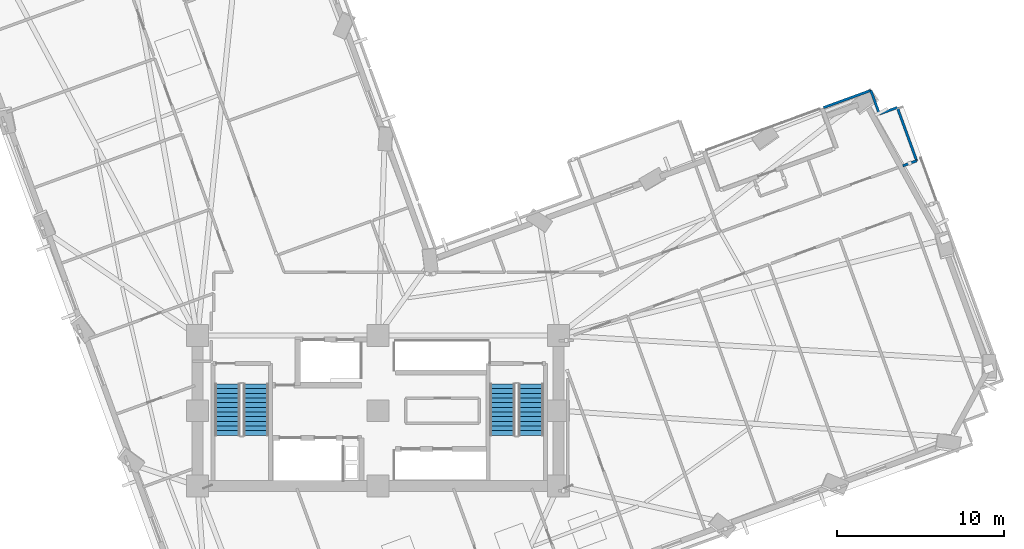
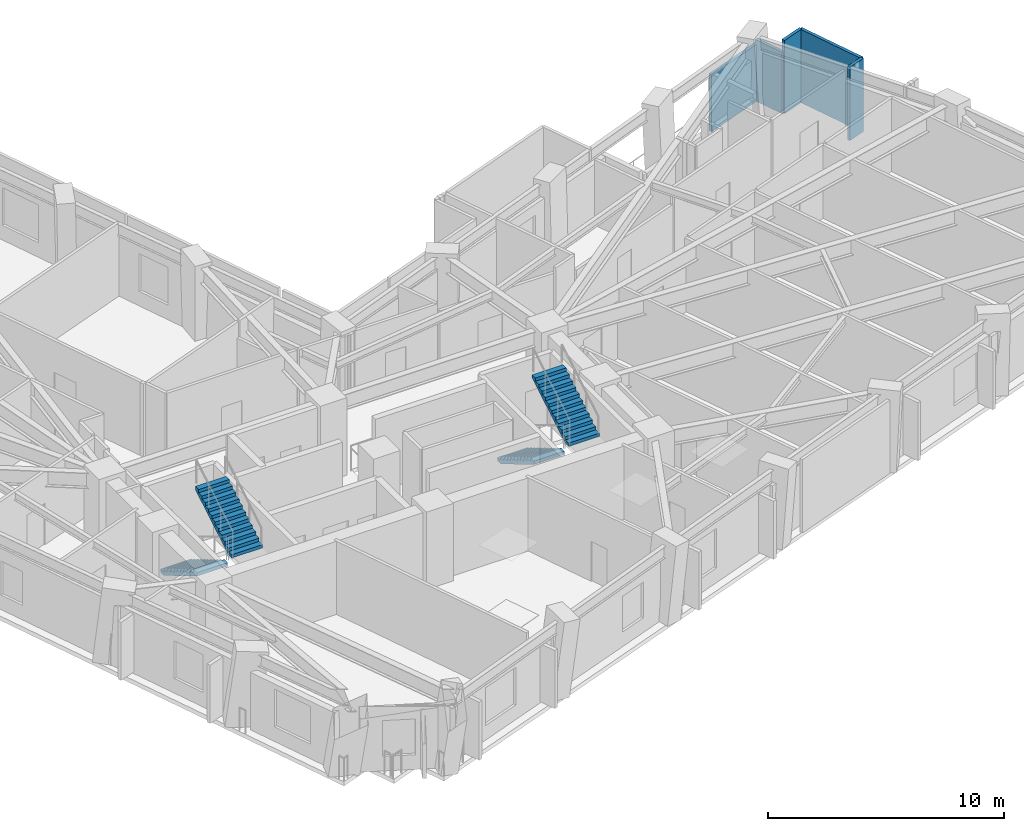
# One storey, part 13 of 17: 5 walls, 4 stair flights, 2 elements without a shape of their own.
"""IFC4 building model written with IfcOpenShell, lengths in metres."""

from ifc_helpers import new_model, si_unit, direction, frame, frame_2d, origin, place, context, subcontext, project, spatial, polyline, rectangle, outline, extrude, material, layer, layer_set, type_object, element, aggregate, save


model = new_model("IFC4")

# Units and contexts
model_context = context("Model", 3, precision=1e-05, world=origin(), true_north=direction((0.0, 1.0)))
body_context = subcontext(model_context, "Body", "Model", "MODEL_VIEW")
ifc_project = project(units=[si_unit("LENGTHUNIT", "METRE"), si_unit("AREAUNIT", "SQUARE_METRE"), si_unit("VOLUMEUNIT", "CUBIC_METRE"), si_unit("PLANEANGLEUNIT", "RADIAN"), si_unit("MASSUNIT", "GRAM", prefix="KILO")], contexts=[model_context])

# Site, building, storey
site_placement = place(None, origin())
site = spatial("IfcSite", under=ifc_project, at=site_placement, CompositionType="ELEMENT")
building_placement = place(site_placement, origin())
building = spatial("IfcBuilding", under=site, at=building_placement, Name="Gaonmaruhae Medical Tower", CompositionType="ELEMENT")
storey_placement = place(building_placement, frame((0.0, 0.0, 108.39990234375)))
storey = spatial("IfcBuildingStorey", under=building, at=storey_placement, Name="L25", CompositionType="ELEMENT", Elevation=108.39990234375)

# Walls
ifc_material_1 = material(Name="Gypsum board partition", Category="gypsum")
ifc_layer = layer(ifc_material_1, 0.14990234375)
ifc_layer_set = layer_set([ifc_layer], Name="Gypsum board partition")
wall_type = type_object("IfcWallType", Name="PW-150 Rated Clinical Corridor Partition", PredefinedType="PARTITIONING", material=ifc_layer_set)
wall_1_placement = place(storey_placement, frame((51.43701171875, 30.423095703125, 0.0), z_axis=(0.0, 0.0, 1.0), x_axis=(0.939977700779, 0.34123587449, 0.0)))
element("IfcWall", 1, at=wall_1_placement, inside=storey, type_object=wall_type, Name="L25 Interior Partition L25-IE06-89", PredefinedType="PARTITIONING", context=body_context, shape_type="SweptSolid", body=[
    extrude(rectangle(XDim=3.014892578125, YDim=0.14990234375, at=frame_2d((1.50732421875, 0.0))), origin(), (0.0, 0.0, 1.0), 2.945068359375),
])
wall_2_placement = place(storey_placement, frame((54.27099609375, 31.451904296875, 0.0), z_axis=(0.0, 0.0, 1.0), x_axis=(0.341311767392, -0.939950146252, 0.0)))
element("IfcWall", 2, at=wall_2_placement, inside=storey, type_object=wall_type, Name="L25 Interior Partition L25-IE06-90", PredefinedType="PARTITIONING", context=body_context, shape_type="SweptSolid", body=[
    extrude(rectangle(XDim=1.5, YDim=0.14990234375, at=frame_2d((0.75, 0.0))), origin(), (0.0, 0.0, 1.0), 3.1650390625),
])
wall_3_placement = place(storey_placement, frame((54.782958984375, 30.0419921875, 0.0), z_axis=(0.0, 0.0, 1.0), x_axis=(0.939949717759, 0.341312947433, 0.0)))
element("IfcWall", 3, at=wall_3_placement, inside=storey, type_object=wall_type, Name="L25 Interior Partition L25-IE06-91", PredefinedType="PARTITIONING", context=body_context, shape_type="SweptSolid", body=[
    extrude(rectangle(XDim=1.139404296875, YDim=0.14990234375, at=frame_2d((0.56982421875, 0.0))), origin(), (0.0, 0.0, 1.0), 3.780029296875),
])
wall_4_placement = place(storey_placement, frame((55.85400390625, 30.430908203125, 0.0), z_axis=(0.0, 0.0, 1.0), x_axis=(0.341240018038, -0.939976196555, 0.0)))
element("IfcWall", 4, at=wall_4_placement, inside=storey, type_object=wall_type, Name="L25 Interior Partition L25-IE06-92", PredefinedType="PARTITIONING", context=body_context, shape_type="SweptSolid", body=[
    extrude(rectangle(XDim=3.390625, YDim=0.14990234375, at=frame_2d((1.6953125, 0.0))), origin(), (0.0, 0.0, 1.0), 3.780029296875),
])
wall_5_placement = place(storey_placement, frame((57.010986328125, 27.243896484375, 0.0), z_axis=(0.0, 0.0, 1.0), x_axis=(-0.940051781149, -0.341031741571, 0.0)))
element("IfcWall", 5, at=wall_5_placement, inside=storey, type_object=wall_type, Name="L25 Interior Partition L25-IE06-93", PredefinedType="PARTITIONING", context=body_context, shape_type="SweptSolid", body=[
    extrude(rectangle(XDim=0.882080078125, YDim=0.14990234375, at=frame_2d((0.44091796875, 0.0))), origin(), (0.0, 0.0, 1.0), 3.780029296875),
])

# Stair, stair flights
ifc_material_2 = material(Name="Concrete C40/50", Category="concrete")
stair_type = type_object("IfcStairType", Name="ST-T1 Primary Core Escape Dogleg Stair", PredefinedType="TWO_QUARTER_TURN_STAIR", material=ifc_material_2)
stair_1_placement = place(storey_placement, origin())
stair_1 = element("IfcStair", 6, at=stair_1_placement, inside=storey, type_object=stair_type, Name="L25 Protected Escape Stair ST-01", PredefinedType="TWO_QUARTER_TURN_STAIR")
stair_flight_type = type_object("IfcStairFlightType", Name="SF-T1 Primary Core Precast Stair Flight", PredefinedType="STRAIGHT", material=ifc_material_2)
stair_flight_1_placement = place(storey_placement, frame((15.800048828125, 13.89990234375, 0.0), z_axis=(0.0, 0.0, 1.0), x_axis=(0.0, -1.0, 0.0)))
stair_flight_1 = element("IfcStairFlight", 7, at=stair_flight_1_placement, type_object=stair_flight_type, Name="ST-01 flight 1", NumberOfRisers=12, NumberOfTreads=11, PredefinedType="STRAIGHT", RiserHeight=0.166666667, TreadLength=0.28, context=body_context, shape_type="SweptSolid", body=[
    extrude(outline(polyline([(0.0, 0.0), (0.0, 0.166748046875), (0.280029296875, 0.166748046875), (0.280029296875, 0.333251953125), (0.56005859375, 0.333251953125), (0.56005859375, 0.5), (0.840087890625, 0.5), (0.840087890625, 0.666748046875), (1.1201171875, 0.666748046875), (1.1201171875, 0.833251953125), (1.39990234375, 0.833251953125), (1.39990234375, 1.0), (1.679931640625, 1.0), (1.679931640625, 1.166748046875), (1.9599609375, 1.166748046875), (1.9599609375, 1.333251953125), (2.239990234375, 1.333251953125), (2.239990234375, 1.5), (2.52001953125, 1.5), (2.52001953125, 1.666748046875), (2.800048828125, 1.666748046875), (2.800048828125, 1.833251953125), (3.080078125, 1.833251953125), (3.080078125, 2.0), (3.080078125, 1.658935546875), (0.29296875, 0.0), (0.0, 0.0)])), frame((0.0, 0.75, 0.0), z_axis=(0.0, -1.0, 0.0), x_axis=(1.0, 0.0, 0.0)), (0.0, 0.0, 1.0), 1.5),
])
stair_flight_2_placement = place(storey_placement, frame((17.5, 10.820068359375, 2.0), z_axis=(0.0, 0.0, 1.0), x_axis=(0.0, 1.0, 0.0)))
stair_flight_2 = element("IfcStairFlight", 8, at=stair_flight_2_placement, type_object=stair_flight_type, Name="ST-01 flight 2", NumberOfRisers=12, NumberOfTreads=11, PredefinedType="STRAIGHT", RiserHeight=0.166666667, TreadLength=0.28, context=body_context, shape_type="SweptSolid", body=[
    extrude(outline(polyline([(0.0, 0.0), (0.0, 0.166748046875), (0.280029296875, 0.166748046875), (0.280029296875, 0.333251953125), (0.56005859375, 0.333251953125), (0.56005859375, 0.5), (0.840087890625, 0.5), (0.840087890625, 0.666748046875), (1.1201171875, 0.666748046875), (1.1201171875, 0.833251953125), (1.39990234375, 0.833251953125), (1.39990234375, 1.0), (1.679931640625, 1.0), (1.679931640625, 1.166748046875), (1.9599609375, 1.166748046875), (1.9599609375, 1.333251953125), (2.239990234375, 1.333251953125), (2.239990234375, 1.5), (2.52001953125, 1.5), (2.52001953125, 1.666748046875), (2.800048828125, 1.666748046875), (2.800048828125, 1.833251953125), (3.080078125, 1.833251953125), (3.080078125, 2.0), (3.080078125, 1.658935546875), (0.29296875, 0.0), (0.0, 0.0)])), frame((0.0, 0.75, 0.0), z_axis=(0.0, -1.0, 0.0), x_axis=(1.0, 0.0, 0.0)), (0.0, 0.0, 1.0), 1.5),
])
aggregate(stair_1, [stair_flight_1, stair_flight_2])

stair_2_placement = place(storey_placement, origin())
stair_2 = element("IfcStair", 9, at=stair_2_placement, inside=storey, type_object=stair_type, Name="L25 Protected Escape Stair ST-02", PredefinedType="TWO_QUARTER_TURN_STAIR")
stair_flight_3_placement = place(storey_placement, frame((32.25, 13.89990234375, 0.0), z_axis=(0.0, 0.0, 1.0), x_axis=(0.0, -1.0, 0.0)))
stair_flight_3 = element("IfcStairFlight", 10, at=stair_flight_3_placement, type_object=stair_flight_type, Name="ST-02 flight 1", NumberOfRisers=12, NumberOfTreads=11, PredefinedType="STRAIGHT", RiserHeight=0.166666667, TreadLength=0.28, context=body_context, shape_type="SweptSolid", body=[
    extrude(outline(polyline([(0.0, 0.0), (0.0, 0.166748046875), (0.280029296875, 0.166748046875), (0.280029296875, 0.333251953125), (0.56005859375, 0.333251953125), (0.56005859375, 0.5), (0.840087890625, 0.5), (0.840087890625, 0.666748046875), (1.1201171875, 0.666748046875), (1.1201171875, 0.833251953125), (1.39990234375, 0.833251953125), (1.39990234375, 1.0), (1.679931640625, 1.0), (1.679931640625, 1.166748046875), (1.9599609375, 1.166748046875), (1.9599609375, 1.333251953125), (2.239990234375, 1.333251953125), (2.239990234375, 1.5), (2.52001953125, 1.5), (2.52001953125, 1.666748046875), (2.800048828125, 1.666748046875), (2.800048828125, 1.833251953125), (3.080078125, 1.833251953125), (3.080078125, 2.0), (3.080078125, 1.658935546875), (0.29296875, 0.0), (0.0, 0.0)])), frame((0.0, 0.75, 0.0), z_axis=(0.0, -1.0, 0.0), x_axis=(1.0, 0.0, 0.0)), (0.0, 0.0, 1.0), 1.5),
])
stair_flight_4_placement = place(storey_placement, frame((33.949951171875, 10.820068359375, 2.0), z_axis=(0.0, 0.0, 1.0), x_axis=(0.0, 1.0, 0.0)))
stair_flight_4 = element("IfcStairFlight", 11, at=stair_flight_4_placement, type_object=stair_flight_type, Name="ST-02 flight 2", NumberOfRisers=12, NumberOfTreads=11, PredefinedType="STRAIGHT", RiserHeight=0.166666667, TreadLength=0.28, context=body_context, shape_type="SweptSolid", body=[
    extrude(outline(polyline([(0.0, 0.0), (0.0, 0.166748046875), (0.280029296875, 0.166748046875), (0.280029296875, 0.333251953125), (0.56005859375, 0.333251953125), (0.56005859375, 0.5), (0.840087890625, 0.5), (0.840087890625, 0.666748046875), (1.1201171875, 0.666748046875), (1.1201171875, 0.833251953125), (1.39990234375, 0.833251953125), (1.39990234375, 1.0), (1.679931640625, 1.0), (1.679931640625, 1.166748046875), (1.9599609375, 1.166748046875), (1.9599609375, 1.333251953125), (2.239990234375, 1.333251953125), (2.239990234375, 1.5), (2.52001953125, 1.5), (2.52001953125, 1.666748046875), (2.800048828125, 1.666748046875), (2.800048828125, 1.833251953125), (3.080078125, 1.833251953125), (3.080078125, 2.0), (3.080078125, 1.658935546875), (0.29296875, 0.0), (0.0, 0.0)])), frame((0.0, 0.75, 0.0), z_axis=(0.0, -1.0, 0.0), x_axis=(1.0, 0.0, 0.0)), (0.0, 0.0, 1.0), 1.5),
])
aggregate(stair_2, [stair_flight_3, stair_flight_4])

save(model, "model.ifc")
